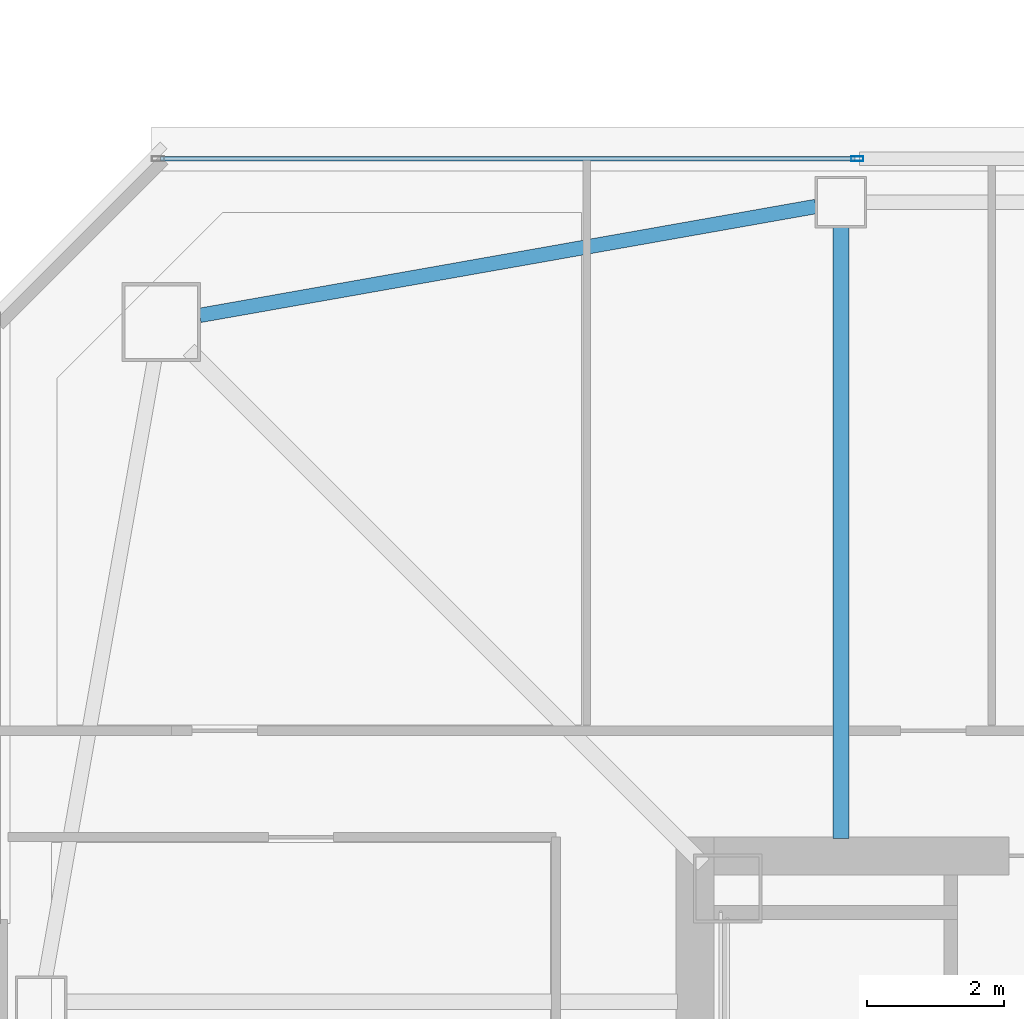
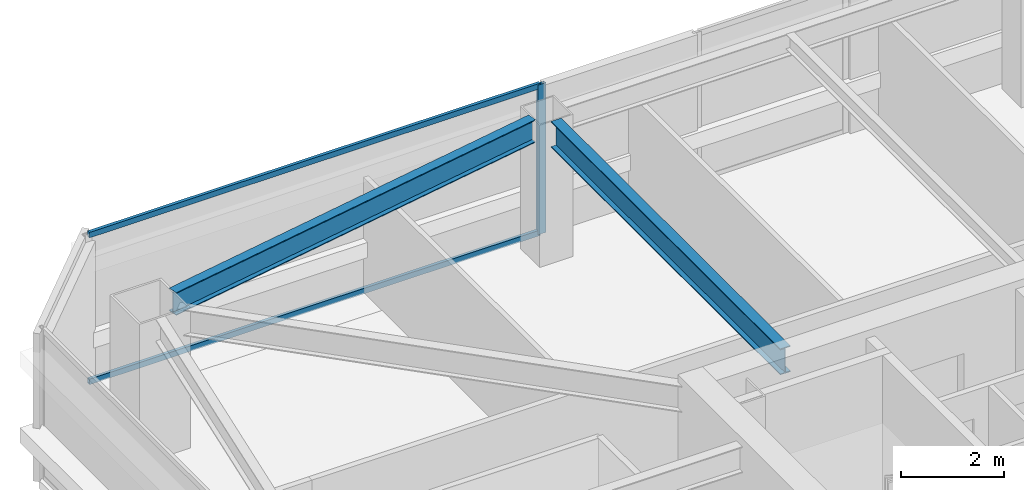
# One storey, part 12 of 43: 3 members, 2 beams, 1 element without a shape of its own.
"""IFC4 building model written with IfcOpenShell, lengths in metres."""

from ifc_helpers import new_model, si_unit, direction, frame, origin, origin_2d, place, context, subcontext, project, spatial, hollow_rectangle, i_section, extrude, material, material_profile, profile_set, type_object, element, aggregate, save


model = new_model("IFC4")

# Units and contexts
model_context = context("Model", 3, precision=1e-05, world=origin(), true_north=direction((0.0, 1.0)))
body_context = subcontext(model_context, "Body", "Model", "MODEL_VIEW")
ifc_project = project(units=[si_unit("LENGTHUNIT", "METRE"), si_unit("AREAUNIT", "SQUARE_METRE"), si_unit("VOLUMEUNIT", "CUBIC_METRE"), si_unit("PLANEANGLEUNIT", "RADIAN"), si_unit("MASSUNIT", "GRAM", prefix="KILO")], contexts=[model_context])

# Site, building, storey
site_placement = place(None, origin())
site = spatial("IfcSite", under=ifc_project, at=site_placement, CompositionType="ELEMENT")
building_placement = place(site_placement, origin())
building = spatial("IfcBuilding", under=site, at=building_placement, Name="Tashvorn Skyway Center", CompositionType="ELEMENT")
storey_placement = place(building_placement, frame((0.0, 0.0, 188.949951171875)))
storey = spatial("IfcBuildingStorey", under=building, at=storey_placement, Name="L51", CompositionType="ELEMENT", Elevation=188.949951171875)

# Beams
ifc_material_1 = material(Name="Steel ASTM A992 Grade 50", Category="steel")
ifc_material_profile_1 = material_profile(ifc_material_1, i_section(OverallWidth=0.22998046875, OverallDepth=0.616943359375, WebThickness=0.01318359375, FlangeThickness=0.022216796875, at=origin_2d()), Name="W24X94")
ifc_profile_set_1 = profile_set([ifc_material_profile_1], Name="Steel ASTM A992 Grade 50")
beam_type_1 = type_object("IfcBeamType", Name="BM-BEAM-W24X94", PredefinedType="BEAM", material=ifc_profile_set_1)
beam_1_placement = place(storey_placement, frame((36.60009765625, 48.679931640625, 3.0615234375), z_axis=(0.0, -1.0, 0.0), x_axis=(1.0, 0.0, 0.0)))
element("IfcBeam", 1, at=beam_1_placement, inside=storey, type_object=beam_type_1, Name="Tower 1 L51 Primary Floor Girder FC-N2", PredefinedType="BEAM", context=body_context, shape_type="SweptSolid", body=[
    extrude(i_section(OverallWidth=0.22998046875, OverallDepth=0.616943359375, WebThickness=0.01318359375, FlangeThickness=0.022216796875, at=origin_2d()), origin(), (0.0, 0.0, 1.0), 8.89990234375),
])
ifc_material_profile_2 = material_profile(ifc_material_1, i_section(OverallWidth=0.2109375, OverallDepth=0.5390625, WebThickness=0.01171875, FlangeThickness=0.018798828125, at=origin_2d()), Name="W21X73")
ifc_profile_set_2 = profile_set([ifc_material_profile_2], Name="Steel ASTM A992 Grade 50")
beam_type_2 = type_object("IfcBeamType", Name="BM-SPANDREL-W21X73", PredefinedType="SPANDREL", material=ifc_profile_set_2)
beam_2_placement = place(storey_placement, frame((36.235595703125, 48.985595703125, 3.1005859375), z_axis=(-0.984732545667, -0.174074160933, 0.0), x_axis=(0.174074160933, -0.984732545667, 0.0)))
element("IfcBeam", 2, at=beam_2_placement, inside=storey, type_object=beam_type_2, Name="Tower 1 L51 Spandrel Beam 09", PredefinedType="SPANDREL", context=body_context, shape_type="SweptSolid", body=[
    extrude(i_section(OverallWidth=0.2109375, OverallDepth=0.5390625, WebThickness=0.01171875, FlangeThickness=0.018798828125, at=origin_2d()), origin(), (0.0, 0.0, 1.0), 9.113525390625),
])

# Curtain wall, members
ifc_material_2 = material(Name="Thermally broken bronze-anodized aluminium 6063-T6", Category="aluminium")
curtain_wall_type = type_object("IfcCurtainWallType", Name="CW-CW-Z4", PredefinedType="NOTDEFINED", material=ifc_material_2)
curtain_wall_placement = place(storey_placement, origin())
curtain_wall = element("IfcCurtainWall", 3, at=curtain_wall_placement, inside=storey, type_object=curtain_wall_type, Name="Tower 1 L51 North Unitised Curtain Wall Glazing Group 1", PredefinedType="NOTDEFINED")
ifc_material_profile_3 = material_profile(ifc_material_2, hollow_rectangle(XDim=0.070068359375, YDim=0.179931640625, WallThickness=0.00390625, at=origin_2d()), Name="ALU-MULL-70x180")
ifc_profile_set_3 = profile_set([ifc_material_profile_3], Name="Thermally broken bronze-anodized aluminium 6063-T6")
member_type_1 = type_object("IfcMemberType", Name="CWM-CW-Z4", PredefinedType="MULLION", material=ifc_profile_set_3)
member_1_placement = place(storey_placement, frame((36.83837890625, 49.679931640625, 0.0), z_axis=(0.0, 0.0, 1.0), x_axis=(0.0, 1.0, 0.0)))
member_1 = element("IfcMember", 4, at=member_1_placement, type_object=member_type_1, Name="CW-Z4 mullion 2", PredefinedType="MULLION", context=body_context, shape_type="SweptSolid", body=[
    extrude(hollow_rectangle(XDim=0.070068359375, YDim=0.179931640625, WallThickness=0.00390625, at=origin_2d()), origin(), (0.0, 0.0, 1.0), 3.550048828125),
])
ifc_material_profile_4 = material_profile(ifc_material_2, hollow_rectangle(XDim=0.070068359375, YDim=0.1298828125, WallThickness=0.00390625, at=origin_2d()), Name="ALU-TRAN-70x130")
ifc_profile_set_4 = profile_set([ifc_material_profile_4], Name="Thermally broken bronze-anodized aluminium 6063-T6")
member_type_2 = type_object("IfcMemberType", Name="CWT-CW-Z4", PredefinedType="USERDEFINED", material=ifc_profile_set_4)
member_2_placement = place(storey_placement, frame((26.68994140625, 49.679931640625, 0.03515625), z_axis=(1.0, 0.0, 0.0), x_axis=(0.0, 1.0, 0.0)))
member_2 = element("IfcMember", 5, at=member_2_placement, type_object=member_type_2, Name="CW-Z4 transom 1.1", ObjectType="TRANSOM", PredefinedType="USERDEFINED", context=body_context, shape_type="SweptSolid", body=[
    extrude(hollow_rectangle(XDim=0.070068359375, YDim=0.1298828125, WallThickness=0.00390625, at=origin_2d()), origin(), (0.0, 0.0, 1.0), 10.11328125),
])
member_3_placement = place(storey_placement, frame((26.68994140625, 49.679931640625, 3.51513671875), z_axis=(1.0, 0.0, 0.0), x_axis=(0.0, 1.0, 0.0)))
member_3 = element("IfcMember", 6, at=member_3_placement, type_object=member_type_2, Name="CW-Z4 transom 1.2", ObjectType="TRANSOM", PredefinedType="USERDEFINED", context=body_context, shape_type="SweptSolid", body=[
    extrude(hollow_rectangle(XDim=0.070068359375, YDim=0.1298828125, WallThickness=0.00390625, at=origin_2d()), origin(), (0.0, 0.0, 1.0), 10.11328125),
])
aggregate(curtain_wall, [member_1, member_2, member_3])

save(model, "model.ifc")
